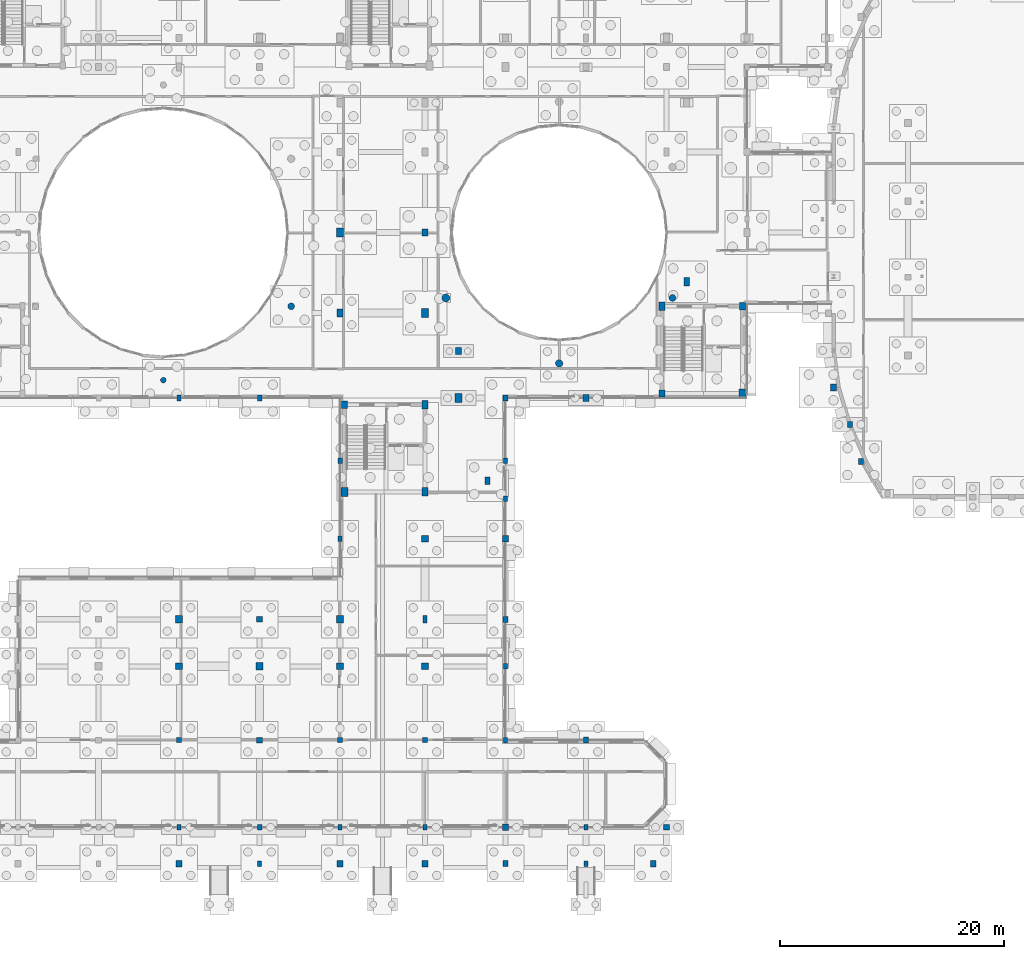
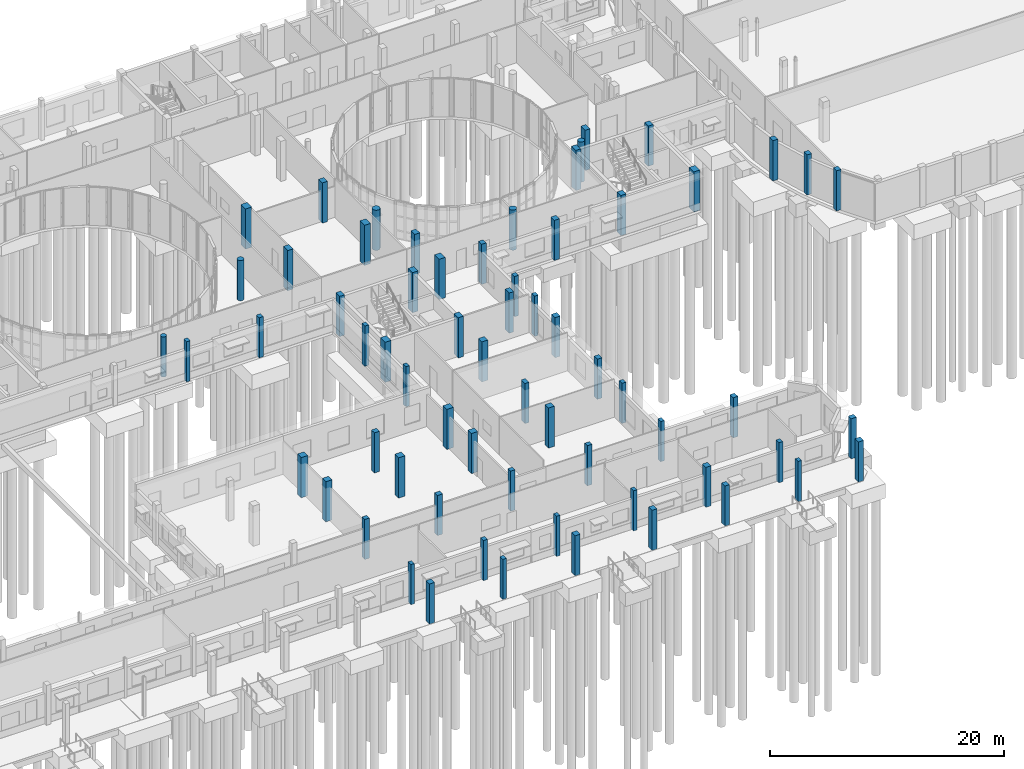
# One storey, part 16 of 93: 64 columns.
"""IFC4 building model written with IfcOpenShell, lengths in metres."""

from ifc_helpers import new_model, si_unit, direction, frame, origin, origin_2d, place, context, subcontext, project, spatial, rectangle, circle, extrude, material, material_profile, profile_set, type_object, element, save


model = new_model("IFC4")

# Units and contexts
model_context = context("Model", 3, precision=1e-05, world=origin(), true_north=direction((0.0, 1.0)))
body_context = subcontext(model_context, "Body", "Model", "MODEL_VIEW")
ifc_project = project(units=[si_unit("LENGTHUNIT", "METRE"), si_unit("AREAUNIT", "SQUARE_METRE"), si_unit("VOLUMEUNIT", "CUBIC_METRE"), si_unit("PLANEANGLEUNIT", "RADIAN"), si_unit("MASSUNIT", "GRAM", prefix="KILO")], contexts=[model_context])

# Site, building, storey
site_placement = place(None, origin())
site = spatial("IfcSite", under=ifc_project, at=site_placement, CompositionType="ELEMENT")
building_placement = place(site_placement, origin())
building = spatial("IfcBuilding", under=site, at=building_placement, Name="Kelanivale Promenade Academy", CompositionType="ELEMENT")
storey_placement = place(building_placement, origin())
storey = spatial("IfcBuildingStorey", under=building, at=storey_placement, Name="L00", CompositionType="ELEMENT", Elevation=0.0)

# Columns
ifc_material = material(Name="Concrete C40/50", Category="concrete")
ifc_material_profile_1 = material_profile(ifc_material, rectangle(XDim=0.449951171875, YDim=0.449951171875, at=origin_2d()), Name="RC-COL 450x450")
ifc_profile_set_1 = profile_set([ifc_material_profile_1], Name="Concrete C40/50")
column_type_1 = type_object("IfcColumnType", Name="C-02 RC-COL 450x450", PredefinedType="COLUMN", material=ifc_profile_set_1)
for number, where, z_axis, x_axis, name in (
    (1, (64.800048828125, 11.39990234375, 0.0), (0.0, 0.0, 1.0), (1.0, 0.0, 0.0), "Column C-02 at (64.8, 11.4) L00"),
    (2, (79.199951171875, 11.39990234375, 0.0), (0.0, 0.0, 1.0), (1.0, 0.0, 0.0), "Column C-02 at (79.2, 11.4) L00"),
    (3, (86.800048828125, 11.39990234375, 0.0), (0.0, 0.0, 1.0), (1.0, 0.0, 0.0), "Column C-02 at (86.8, 11.4) L00"),
):
    element("IfcColumn", number, at=place(storey_placement, frame(where, z_axis=z_axis, x_axis=x_axis)), inside=storey, type_object=column_type_1, Name=name, PredefinedType="COLUMN", context=body_context, shape_type="SweptSolid", body=[
        extrude(rectangle(XDim=0.449951171875, YDim=0.449951171875, at=origin_2d()), origin(), (0.0, 0.0, 1.0), 4.199951171875),
    ])
ifc_material_profile_2 = material_profile(ifc_material, rectangle(XDim=0.5, YDim=0.5, at=origin_2d()), Name="RC-COL 500x500")
ifc_profile_set_2 = profile_set([ifc_material_profile_2], Name="Concrete C40/50")
column_type_2 = type_object("IfcColumnType", Name="C-03 RC-COL 500x500", PredefinedType="COLUMN", material=ifc_profile_set_2)
for number, where, z_axis, x_axis, name in (
    (4, (72.0, 11.39990234375, 0.0), (0.0, 0.0, 1.0), (1.0, 0.0, 0.0), "Column C-03 at (72.0, 11.4) L00"),
    (5, (72.0, 22.199951171875, 0.0), (0.0, 0.0, 1.0), (1.0, 0.0, 0.0), "Column C-03 at (72.0, 22.2) L00"),
    (6, (108.39990234375, 3.60009765625, 0.0), (0.0, 0.0, 1.0), (1.0, 0.0, 0.0), "Column C-03 at (108.4, 3.6) L00"),
):
    element("IfcColumn", number, at=place(storey_placement, frame(where, z_axis=z_axis, x_axis=x_axis)), inside=storey, type_object=column_type_2, Name=name, PredefinedType="COLUMN", context=body_context, shape_type="SweptSolid", body=[
        extrude(rectangle(XDim=0.5, YDim=0.5, at=origin_2d()), origin(), (0.0, 0.0, 1.0), 4.199951171875),
    ])
ifc_material_profile_3 = material_profile(ifc_material, rectangle(XDim=0.60009765625, YDim=0.60009765625, at=origin_2d()), Name="RC-COL 600x600")
ifc_profile_set_3 = profile_set([ifc_material_profile_3], Name="Concrete C40/50")
column_type_3 = type_object("IfcColumnType", Name="C-05 RC-COL 600x600", PredefinedType="COLUMN", material=ifc_profile_set_3)
for number, where, z_axis, x_axis, name in (
    (7, (64.800048828125, 18.0, 0.0), (0.0, 0.0, 1.0), (1.0, 0.0, 0.0), "Column C-05 at (64.8, 18.0) L00"),
    (8, (79.199951171875, 18.0, 0.0), (0.0, 0.0, 1.0), (1.0, 0.0, 0.0), "Column C-05 at (79.2, 18.0) L00"),
    (9, (86.800048828125, 18.0, 0.0), (0.0, 0.0, 1.0), (1.0, 0.0, 0.0), "Column C-05 at (86.8, 18.0) L00"),
    (10, (86.800048828125, 29.39990234375, 0.0), (0.0, 0.0, 1.0), (1.0, 0.0, 0.0), "Column C-05 at (86.8, 29.4) L00"),
):
    element("IfcColumn", number, at=place(storey_placement, frame(where, z_axis=z_axis, x_axis=x_axis)), inside=storey, type_object=column_type_3, Name=name, PredefinedType="COLUMN", context=body_context, shape_type="SweptSolid", body=[
        extrude(rectangle(XDim=0.60009765625, YDim=0.60009765625, at=origin_2d()), origin(), (0.0, 0.0, 1.0), 4.199951171875),
    ])
ifc_material_profile_4 = material_profile(ifc_material, rectangle(XDim=0.64990234375, YDim=0.64990234375, at=origin_2d()), Name="RC-COL 650x650")
ifc_profile_set_4 = profile_set([ifc_material_profile_4], Name="Concrete C40/50")
column_type_4 = type_object("IfcColumnType", Name="C-06 RC-COL 650x650", PredefinedType="COLUMN", material=ifc_profile_set_4)
for number, where, z_axis, x_axis, name in (
    (11, (64.800048828125, 22.199951171875, 0.0), (0.0, 0.0, 1.0), (1.0, 0.0, 0.0), "Column C-06 at (64.8, 22.2) L00"),
    (12, (72.0, 18.0, 0.0), (0.0, 0.0, 1.0), (1.0, 0.0, 0.0), "Column C-06 at (72.0, 18.0) L00"),
    (13, (79.199951171875, 22.199951171875, 0.0), (0.0, 0.0, 1.0), (1.0, 0.0, 0.0), "Column C-06 at (79.2, 22.2) L00"),
):
    element("IfcColumn", number, at=place(storey_placement, frame(where, z_axis=z_axis, x_axis=x_axis)), inside=storey, type_object=column_type_4, Name=name, PredefinedType="COLUMN", context=body_context, shape_type="SweptSolid", body=[
        extrude(rectangle(XDim=0.64990234375, YDim=0.64990234375, at=origin_2d()), origin(), (0.0, 0.0, 1.0), 4.199951171875),
    ])
ifc_material_profile_5 = material_profile(ifc_material, rectangle(XDim=0.39990234375, YDim=0.64990234375, at=origin_2d()), Name="RC-COL 400x650")
ifc_profile_set_5 = profile_set([ifc_material_profile_5], Name="Concrete C40/50")
column_type_5 = type_object("IfcColumnType", Name="C-08 RC-COL 400x650", PredefinedType="COLUMN", material=ifc_profile_set_5)
column_1_placement = place(storey_placement, frame((86.800048828125, 22.199951171875, 0.0), z_axis=(0.0, 0.0, 1.0), x_axis=(1.0, 0.0, 0.0)))
element("IfcColumn", 14, at=column_1_placement, inside=storey, type_object=column_type_5, Name="Column C-08 at (86.8, 22.2) L00", PredefinedType="COLUMN", context=body_context, shape_type="SweptSolid", body=[
    extrude(rectangle(XDim=0.39990234375, YDim=0.64990234375, at=origin_2d()), origin(), (0.0, 0.0, 1.0), 4.199951171875),
])
ifc_material_profile_6 = material_profile(ifc_material, rectangle(XDim=0.449951171875, YDim=0.699951171875, at=origin_2d()), Name="RC-COL 450x700")
ifc_profile_set_6 = profile_set([ifc_material_profile_6], Name="Concrete C40/50")
column_type_6 = type_object("IfcColumnType", Name="C-10 RC-COL 450x700", PredefinedType="COLUMN", material=ifc_profile_set_6)
column_2_placement = place(storey_placement, frame((92.39990234375, 34.60009765625, 0.0), z_axis=(0.0, 0.0, 1.0), x_axis=(1.0, 0.0, 0.0)))
element("IfcColumn", 15, at=column_2_placement, inside=storey, type_object=column_type_6, Name="Column C-10 at (92.4, 34.6) L00", PredefinedType="COLUMN", context=body_context, shape_type="SweptSolid", body=[
    extrude(rectangle(XDim=0.449951171875, YDim=0.699951171875, at=origin_2d()), origin(), (0.0, 0.0, 1.0), 4.199951171875),
])
ifc_material_profile_7 = material_profile(ifc_material, rectangle(XDim=0.5, YDim=0.64990234375, at=origin_2d()), Name="RC-COL 500x650")
ifc_profile_set_7 = profile_set([ifc_material_profile_7], Name="Concrete C40/50")
column_type_7 = type_object("IfcColumnType", Name="C-11 RC-COL 500x650", PredefinedType="COLUMN", material=ifc_profile_set_7)
for number, where, z_axis, x_axis, name in (
    (16, (79.60009765625, 41.39990234375, 0.0), (0.0, 0.0, 1.0), (1.0, 0.0, 0.0), "Column C-11 at (79.6, 41.4) L00"),
    (17, (86.800048828125, 56.800048828125, 0.0), (0.0, 0.0, 1.0), (1.0, 0.0, 0.0), "Column C-11 at (86.8, 56.8) L00"),
    (18, (89.800048828125, 46.199951171875, 0.0), (0.0, 0.0, 1.0), (1.0, 0.0, 0.0), "Column C-11 at (89.8, 46.2) L00"),
    (19, (108.0, 42.39990234375, 0.0), (0.0, 0.0, 1.0), (1.0, 0.0, 0.0), "Column C-11 at (108.0, 42.4) L00"),
    (20, (115.199951171875, 50.199951171875, 0.0), (0.0, 0.0, 1.0), (1.0, 0.0, 0.0), "Column C-11 at (115.2, 50.2) L00"),
):
    element("IfcColumn", number, at=place(storey_placement, frame(where, z_axis=z_axis, x_axis=x_axis)), inside=storey, type_object=column_type_7, Name=name, PredefinedType="COLUMN", context=body_context, shape_type="SweptSolid", body=[
        extrude(rectangle(XDim=0.5, YDim=0.64990234375, at=origin_2d()), origin(), (0.0, 0.0, 1.0), 4.199951171875),
    ])
ifc_material_profile_8 = material_profile(ifc_material, rectangle(XDim=0.5, YDim=0.75, at=origin_2d()), Name="RC-COL 500x750")
ifc_profile_set_8 = profile_set([ifc_material_profile_8], Name="Concrete C40/50")
column_type_8 = type_object("IfcColumnType", Name="C-12 RC-COL 500x750", PredefinedType="COLUMN", material=ifc_profile_set_8)
for number, where, z_axis, x_axis, name in (
    (21, (86.800048828125, 33.60009765625, 0.0), (0.0, 0.0, 1.0), (1.0, 0.0, 0.0), "Column C-12 at (86.8, 33.6) L00"),
    (22, (108.0, 50.199951171875, 0.0), (0.0, 0.0, 1.0), (1.0, 0.0, 0.0), "Column C-12 at (108.0, 50.2) L00"),
    (23, (110.199951171875, 52.39990234375, 0.0), (0.0, 0.0, 1.0), (1.0, 0.0, 0.0), "Column C-12 at (110.2, 52.4) L00"),
):
    element("IfcColumn", number, at=place(storey_placement, frame(where, z_axis=z_axis, x_axis=x_axis)), inside=storey, type_object=column_type_8, Name=name, PredefinedType="COLUMN", context=body_context, shape_type="SweptSolid", body=[
        extrude(rectangle(XDim=0.5, YDim=0.75, at=origin_2d()), origin(), (0.0, 0.0, 1.0), 4.199951171875),
    ])
ifc_material_profile_9 = material_profile(ifc_material, rectangle(XDim=0.550048828125, YDim=0.75, at=origin_2d()), Name="RC-COL 550x750")
ifc_profile_set_9 = profile_set([ifc_material_profile_9], Name="Concrete C40/50")
column_type_9 = type_object("IfcColumnType", Name="C-13 RC-COL 550x750", PredefinedType="COLUMN", material=ifc_profile_set_9)
for number, where, z_axis, x_axis, name in (
    (24, (79.199951171875, 49.60009765625, 0.0), (0.0, 0.0, 1.0), (1.0, 0.0, 0.0), "Column C-13 at (79.2, 49.6) L00"),
    (25, (86.800048828125, 41.39990234375, 0.0), (0.0, 0.0, 1.0), (1.0, 0.0, 0.0), "Column C-13 at (86.8, 41.4) L00"),
):
    element("IfcColumn", number, at=place(storey_placement, frame(where, z_axis=z_axis, x_axis=x_axis)), inside=storey, type_object=column_type_9, Name=name, PredefinedType="COLUMN", context=body_context, shape_type="SweptSolid", body=[
        extrude(rectangle(XDim=0.550048828125, YDim=0.75, at=origin_2d()), origin(), (0.0, 0.0, 1.0), 4.199951171875),
    ])
ifc_material_profile_10 = material_profile(ifc_material, rectangle(XDim=0.60009765625, YDim=0.800048828125, at=origin_2d()), Name="RC-COL 600x800")
ifc_profile_set_10 = profile_set([ifc_material_profile_10], Name="Concrete C40/50")
column_type_10 = type_object("IfcColumnType", Name="C-14 RC-COL 600x800", PredefinedType="COLUMN", material=ifc_profile_set_10)
for number, where, z_axis, x_axis, name in (
    (26, (79.199951171875, 56.800048828125, 0.0), (0.0, 0.0, 1.0), (1.0, 0.0, 0.0), "Column C-14 at (79.2, 56.8) L00"),
    (27, (79.60009765625, 33.60009765625, 0.0), (0.0, 0.0, 1.0), (1.0, 0.0, 0.0), "Column C-14 at (79.6, 33.6) L00"),
    (28, (86.800048828125, 49.60009765625, 0.0), (0.0, 0.0, 1.0), (1.0, 0.0, 0.0), "Column C-14 at (86.8, 49.6) L00"),
    (29, (89.800048828125, 42.0, 0.0), (0.0, 0.0, 1.0), (1.0, 0.0, 0.0), "Column C-14 at (89.8, 42.0) L00"),
    (30, (115.199951171875, 42.39990234375, 0.0), (0.0, 0.0, 1.0), (1.0, 0.0, 0.0), "Column C-14 at (115.2, 42.4) L00"),
):
    element("IfcColumn", number, at=place(storey_placement, frame(where, z_axis=z_axis, x_axis=x_axis)), inside=storey, type_object=column_type_10, Name=name, PredefinedType="COLUMN", context=body_context, shape_type="SweptSolid", body=[
        extrude(rectangle(XDim=0.60009765625, YDim=0.800048828125, at=origin_2d()), origin(), (0.0, 0.0, 1.0), 4.199951171875),
    ])
ifc_material_profile_11 = material_profile(ifc_material, circle(Radius=0.25, at=origin_2d()), Name="RC-COL D500")
ifc_profile_set_11 = profile_set([ifc_material_profile_11], Name="Concrete C40/50")
column_type_11 = type_object("IfcColumnType", Name="CC-20 RC-COL D500", PredefinedType="COLUMN", material=ifc_profile_set_11)
column_3_placement = place(storey_placement, frame((63.39990234375, 43.60009765625, 0.0), z_axis=(0.0, 0.0, 1.0), x_axis=(1.0, 0.0, 0.0)))
element("IfcColumn", 31, at=column_3_placement, inside=storey, type_object=column_type_11, Name="Column CC-20 at (63.4, 43.6) L00", PredefinedType="COLUMN", context=body_context, shape_type="SweptSolid", body=[
    extrude(circle(Radius=0.25, at=origin_2d()), origin(), (0.0, 0.0, 1.0), 4.199951171875),
])
ifc_material_profile_12 = material_profile(ifc_material, circle(Radius=0.300048828125, at=origin_2d()), Name="RC-COL D600")
ifc_profile_set_12 = profile_set([ifc_material_profile_12], Name="Concrete C40/50")
column_type_12 = type_object("IfcColumnType", Name="CC-22 RC-COL D600", PredefinedType="COLUMN", material=ifc_profile_set_12)
for number, where, z_axis, x_axis, name in (
    (32, (74.83203125, 50.199951171875, 0.0), (0.0, 0.0, 1.0), (1.0, 0.0, 0.0), "Column CC-22 at (74.8, 50.2) L00"),
    (33, (108.931884765625, 50.949951171875, 0.0), (0.0, 0.0, 1.0), (1.0, 0.0, 0.0), "Column CC-22 at (108.9, 51.0) L00"),
):
    element("IfcColumn", number, at=place(storey_placement, frame(where, z_axis=z_axis, x_axis=x_axis)), inside=storey, type_object=column_type_12, Name=name, PredefinedType="COLUMN", context=body_context, shape_type="SweptSolid", body=[
        extrude(circle(Radius=0.300048828125, at=origin_2d()), origin(), (0.0, 0.0, 1.0), 4.199951171875),
    ])
ifc_material_profile_13 = material_profile(ifc_material, circle(Radius=0.324951171875, at=origin_2d()), Name="RC-COL D650")
ifc_profile_set_13 = profile_set([ifc_material_profile_13], Name="Concrete C40/50")
column_type_13 = type_object("IfcColumnType", Name="CC-23 RC-COL D650", PredefinedType="COLUMN", material=ifc_profile_set_13)
column_4_placement = place(storey_placement, frame((98.800048828125, 45.10009765625, 0.0), z_axis=(0.0, 0.0, 1.0), x_axis=(1.0, 0.0, 0.0)))
element("IfcColumn", 34, at=column_4_placement, inside=storey, type_object=column_type_13, Name="Column CC-23 at (98.8, 45.1) L00", PredefinedType="COLUMN", context=body_context, shape_type="SweptSolid", body=[
    extrude(circle(Radius=0.324951171875, at=origin_2d()), origin(), (0.0, 0.0, 1.0), 4.199951171875),
])
ifc_material_profile_14 = material_profile(ifc_material, circle(Radius=0.35009765625, at=origin_2d()), Name="RC-COL D700")
ifc_profile_set_14 = profile_set([ifc_material_profile_14], Name="Concrete C40/50")
column_type_14 = type_object("IfcColumnType", Name="CC-24 RC-COL D700", PredefinedType="COLUMN", material=ifc_profile_set_14)
column_5_placement = place(storey_placement, frame((88.66796875, 50.949951171875, 0.0), z_axis=(0.0, 0.0, 1.0), x_axis=(1.0, 0.0, 0.0)))
element("IfcColumn", 35, at=column_5_placement, inside=storey, type_object=column_type_14, Name="Column CC-24 at (88.7, 51.0) L00", PredefinedType="COLUMN", context=body_context, shape_type="SweptSolid", body=[
    extrude(circle(Radius=0.35009765625, at=origin_2d()), origin(), (0.0, 0.0, 1.0), 4.199951171875),
])
ifc_material_profile_15 = material_profile(ifc_material, rectangle(XDim=0.35009765625, YDim=0.5, at=origin_2d()), Name="RC-PIL 350x500")
ifc_profile_set_15 = profile_set([ifc_material_profile_15], Name="Concrete C40/50")
column_type_15 = type_object("IfcColumnType", Name="PL-15 RC-PIL 350x500", PredefinedType="PILASTER", material=ifc_profile_set_15)
for number, where, z_axis, x_axis, name in (
    (36, (64.800048828125, 3.60009765625, 0.0), (0.0, 0.0, 1.0), (1.0, 0.0, 0.0), "Column PL-15 at (64.8, 3.6) L00"),
    (37, (64.800048828125, 42.0, 0.0), (0.0, 0.0, 1.0), (1.0, 0.0, 0.0), "Column PL-15 at (64.8, 42.0) L00"),
    (38, (72.0, 0.35009765625, 0.0), (0.0, 0.0, 1.0), (1.0, 0.0, 0.0), "Column PL-15 at (72.0, 0.3) L00"),
    (39, (79.199951171875, 3.60009765625, 0.0), (0.0, 0.0, 1.0), (1.0, 0.0, 0.0), "Column PL-15 at (79.2, 3.6) L00"),
    (40, (79.199951171875, 29.39990234375, 0.0), (0.0, 0.0, 1.0), (1.0, 0.0, 0.0), "Column PL-15 at (79.2, 29.4) L00"),
    (41, (86.800048828125, 3.60009765625, 0.0), (0.0, 0.0, 1.0), (1.0, 0.0, 0.0), "Column PL-15 at (86.8, 3.6) L00"),
    (42, (94.0, 11.39990234375, 0.0), (0.0, 0.0, 1.0), (1.0, 0.0, 0.0), "Column PL-15 at (94.0, 11.4) L00"),
    (43, (94.0, 33.0, 0.0), (0.0, 0.0, 1.0), (1.0, 0.0, 0.0), "Column PL-15 at (94.0, 33.0) L00"),
    (44, (101.199951171875, 0.35009765625, 0.0), (0.0, 0.0, 1.0), (1.0, 0.0, 0.0), "Column PL-15 at (101.2, 0.3) L00"),
):
    element("IfcColumn", number, at=place(storey_placement, frame(where, z_axis=z_axis, x_axis=x_axis)), inside=storey, type_object=column_type_15, Name=name, PredefinedType="PILASTER", context=body_context, shape_type="SweptSolid", body=[
        extrude(rectangle(XDim=0.35009765625, YDim=0.5, at=origin_2d()), origin(), (0.0, 0.0, 1.0), 4.199951171875),
    ])
ifc_material_profile_16 = material_profile(ifc_material, rectangle(XDim=0.39990234375, YDim=0.5, at=origin_2d()), Name="RC-PIL 400x500")
ifc_profile_set_16 = profile_set([ifc_material_profile_16], Name="Concrete C40/50")
column_type_16 = type_object("IfcColumnType", Name="PL-16 RC-PIL 400x500", PredefinedType="PILASTER", material=ifc_profile_set_16)
for number, where, z_axis, x_axis, name in (
    (45, (72.0, 3.60009765625, 0.0), (0.0, 0.0, 1.0), (1.0, 0.0, 0.0), "Column PL-16 at (72.0, 3.6) L00"),
    (46, (72.0, 42.0, 0.0), (0.0, 0.0, 1.0), (1.0, 0.0, 0.0), "Column PL-16 at (72.0, 42.0) L00"),
    (47, (79.199951171875, 36.39990234375, 0.0), (0.0, 0.0, 1.0), (1.0, 0.0, 0.0), "Column PL-16 at (79.2, 36.4) L00"),
    (48, (94.0, 18.0, 0.0), (0.0, 0.0, 1.0), (1.0, 0.0, 0.0), "Column PL-16 at (94.0, 18.0) L00"),
    (49, (94.0, 36.39990234375, 0.0), (0.0, 0.0, 1.0), (1.0, 0.0, 0.0), "Column PL-16 at (94.0, 36.4) L00"),
    (50, (101.199951171875, 3.60009765625, 0.0), (0.0, 0.0, 1.0), (1.0, 0.0, 0.0), "Column PL-16 at (101.2, 3.6) L00"),
):
    element("IfcColumn", number, at=place(storey_placement, frame(where, z_axis=z_axis, x_axis=x_axis)), inside=storey, type_object=column_type_16, Name=name, PredefinedType="PILASTER", context=body_context, shape_type="SweptSolid", body=[
        extrude(rectangle(XDim=0.39990234375, YDim=0.5, at=origin_2d()), origin(), (0.0, 0.0, 1.0), 4.199951171875),
    ])
ifc_material_profile_17 = material_profile(ifc_material, rectangle(XDim=0.449951171875, YDim=0.550048828125, at=origin_2d()), Name="RC-PIL 450x550")
ifc_profile_set_17 = profile_set([ifc_material_profile_17], Name="Concrete C40/50")
column_type_17 = type_object("IfcColumnType", Name="PL-17 RC-PIL 450x550", PredefinedType="PILASTER", material=ifc_profile_set_17)
for number, where, z_axis, x_axis, name in (
    (51, (94.0, 0.35009765625, 0.0), (0.0, 0.0, 1.0), (1.0, 0.0, 0.0), "Column PL-17 at (94.0, 0.3) L00"),
    (52, (94.0, 22.199951171875, 0.0), (0.0, 0.0, 1.0), (1.0, 0.0, 0.0), "Column PL-17 at (94.0, 22.2) L00"),
    (53, (94.0, 42.0, 0.0), (0.0, 0.0, 1.0), (1.0, 0.0, 0.0), "Column PL-17 at (94.0, 42.0) L00"),
    (54, (101.199951171875, 11.39990234375, 0.0), (0.0, 0.0, 1.0), (1.0, 0.0, 0.0), "Column PL-17 at (101.2, 11.4) L00"),
    (55, (124.800048828125, 39.62890625, 0.0), (0.0, 0.0, 1.0), (1.0, 0.0, 0.0), "Column PL-17 at (124.8, 39.6) L00"),
    (56, (125.7900390625, 36.31396484375, 0.0), (0.0, 0.0, 1.0), (1.0, 0.0, 0.0), "Column PL-17 at (125.8, 36.3) L00"),
):
    element("IfcColumn", number, at=place(storey_placement, frame(where, z_axis=z_axis, x_axis=x_axis)), inside=storey, type_object=column_type_17, Name=name, PredefinedType="PILASTER", context=body_context, shape_type="SweptSolid", body=[
        extrude(rectangle(XDim=0.449951171875, YDim=0.550048828125, at=origin_2d()), origin(), (0.0, 0.0, 1.0), 4.199951171875),
    ])
ifc_material_profile_18 = material_profile(ifc_material, rectangle(XDim=0.5, YDim=0.60009765625, at=origin_2d()), Name="RC-PIL 500x600")
ifc_profile_set_18 = profile_set([ifc_material_profile_18], Name="Concrete C40/50")
column_type_18 = type_object("IfcColumnType", Name="PL-18 RC-PIL 500x600", PredefinedType="PILASTER", material=ifc_profile_set_18)
for number, where, z_axis, x_axis, name in (
    (57, (64.800048828125, 0.35009765625, 0.0), (0.0, 0.0, 1.0), (1.0, 0.0, 0.0), "Column PL-18 at (64.8, 0.3) L00"),
    (58, (79.199951171875, 0.35009765625, 0.0), (0.0, 0.0, 1.0), (1.0, 0.0, 0.0), "Column PL-18 at (79.2, 0.3) L00"),
    (59, (86.800048828125, 0.35009765625, 0.0), (0.0, 0.0, 1.0), (1.0, 0.0, 0.0), "Column PL-18 at (86.8, 0.3) L00"),
    (60, (94.0, 3.60009765625, 0.0), (0.0, 0.0, 1.0), (1.0, 0.0, 0.0), "Column PL-18 at (94.0, 3.6) L00"),
    (61, (94.0, 29.39990234375, 0.0), (0.0, 0.0, 1.0), (1.0, 0.0, 0.0), "Column PL-18 at (94.0, 29.4) L00"),
    (62, (101.199951171875, 42.0, 0.0), (0.0, 0.0, 1.0), (1.0, 0.0, 0.0), "Column PL-18 at (101.2, 42.0) L00"),
    (63, (107.199951171875, 0.35009765625, 0.0), (0.0, 0.0, 1.0), (1.0, 0.0, 0.0), "Column PL-18 at (107.2, 0.3) L00"),
    (64, (123.340087890625, 42.943115234375, 0.0), (0.0, 0.0, 1.0), (1.0, 0.0, 0.0), "Column PL-18 at (123.3, 42.9) L00"),
):
    element("IfcColumn", number, at=place(storey_placement, frame(where, z_axis=z_axis, x_axis=x_axis)), inside=storey, type_object=column_type_18, Name=name, PredefinedType="PILASTER", context=body_context, shape_type="SweptSolid", body=[
        extrude(rectangle(XDim=0.5, YDim=0.60009765625, at=origin_2d()), origin(), (0.0, 0.0, 1.0), 4.199951171875),
    ])

save(model, "model.ifc")
